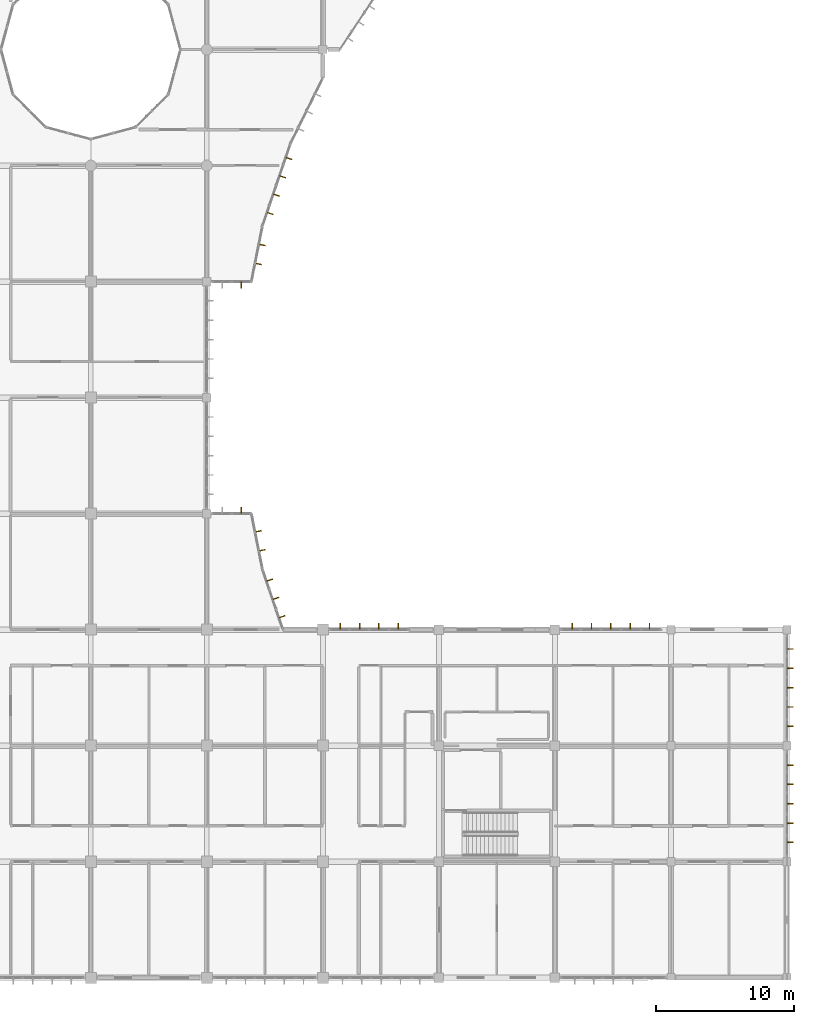
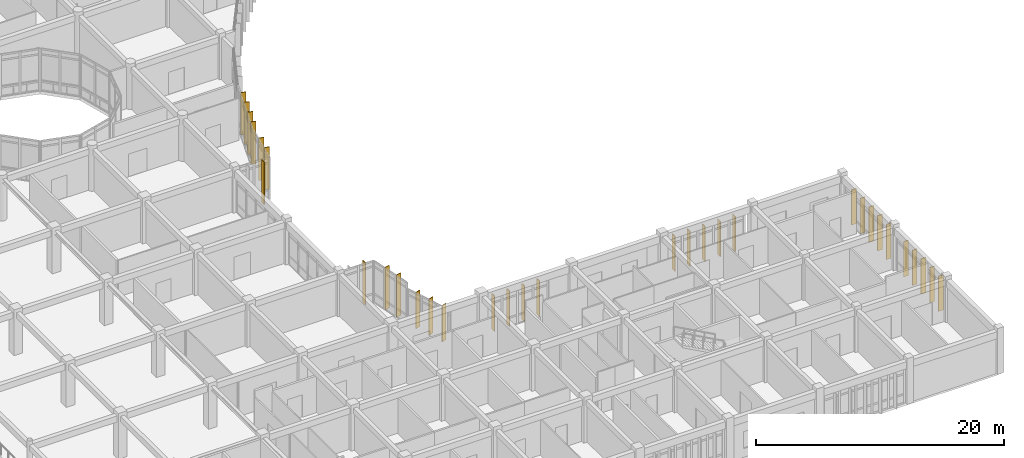
# One storey, part 140 of 144: 32 shading devices.
"""IFC4 building model written with IfcOpenShell, lengths in metres."""

from ifc_helpers import new_model, si_unit, direction, frame, origin, origin_2d, place, context, subcontext, project, spatial, rectangle, extrude, material, material_profile, profile_set, type_object, element, save


model = new_model("IFC4")

# Units and contexts
model_context = context("Model", 3, precision=1e-05, world=origin(), true_north=direction((0.0, 1.0)))
body_context = subcontext(model_context, "Body", "Model", "MODEL_VIEW")
ifc_project = project(units=[si_unit("LENGTHUNIT", "METRE"), si_unit("AREAUNIT", "SQUARE_METRE"), si_unit("VOLUMEUNIT", "CUBIC_METRE"), si_unit("PLANEANGLEUNIT", "RADIAN"), si_unit("MASSUNIT", "GRAM", prefix="KILO")], contexts=[model_context])

# Site, building, storey
site_placement = place(None, origin())
site = spatial("IfcSite", under=ifc_project, at=site_placement, CompositionType="ELEMENT")
building_placement = place(site_placement, origin())
building = spatial("IfcBuilding", under=site, at=building_placement, Name="Bramfleet General Hospital", CompositionType="ELEMENT")
storey_placement = place(building_placement, frame((0.0, 0.0, 4.800048828125)))
storey = spatial("IfcBuildingStorey", under=building, at=storey_placement, Name="L01", CompositionType="ELEMENT", Elevation=4.800048828125)

# Shading devices
ifc_material = material(Name="Treated European larch timber", Category="wood")
ifc_material_profile = material_profile(ifc_material, rectangle(XDim=0.06494140625, YDim=0.449951171875, at=origin_2d()), Name="LARCH FIN 450x65")
ifc_profile_set = profile_set([ifc_material_profile], Name="Treated European larch timber")
shading_device_type = type_object("IfcShadingDeviceType", Name="SHD-FIN-450", PredefinedType="USERDEFINED", material=ifc_profile_set)
for number, where, z_axis, x_axis, name in (
    (1, (131.947265625, 59.3076171875, -0.02001953125), (0.0, 0.0, 1.0), (-0.321383054181, -0.946949276617, 0.0), "L01 Larch Timber Shading Fin 232"),
    (2, (131.497314453125, 57.981689453125, -0.02001953125), (0.0, 0.0, 1.0), (-0.321383054181, -0.946949276617, 0.0), "L01 Larch Timber Shading Fin 233"),
    (3, (131.04736328125, 56.656005859375, -0.02001953125), (0.0, 0.0, 1.0), (-0.321383054181, -0.946949276617, 0.0), "L01 Larch Timber Shading Fin 234"),
    (4, (130.597412109375, 55.330322265625, -0.02001953125), (0.0, 0.0, 1.0), (-0.321383054181, -0.946949276617, 0.0), "L01 Larch Timber Shading Fin 235"),
    (5, (130.007568359375, 53.05126953125, -0.02001953125), (0.0, 0.0, 1.0), (-0.195272189606, -0.980749087161, 0.0), "L01 Larch Timber Shading Fin 236"),
    (6, (129.734130859375, 51.677978515625, -0.02001953125), (0.0, 0.0, 1.0), (-0.195272189606, -0.980749087161, 0.0), "L01 Larch Timber Shading Fin 237"),
    (7, (128.5048828125, 50.159912109375, -0.02001953125), (0.0, 0.0, 1.0), (-1.0, 0.0, 0.0), "L01 Larch Timber Shading Fin 238"),
    (8, (128.5048828125, 33.840087890625, -0.02001953125), (0.0, 0.0, 1.0), (1.0, 0.0, 0.0), "L01 Larch Timber Shading Fin 251"),
    (9, (129.734130859375, 32.322021484375, -0.02001953125), (0.0, 0.0, 1.0), (0.195272189606, -0.980749087161, 0.0), "L01 Larch Timber Shading Fin 252"),
    (10, (130.007568359375, 30.94873046875, -0.02001953125), (0.0, 0.0, 1.0), (0.195272189606, -0.980749087161, 0.0), "L01 Larch Timber Shading Fin 253"),
):
    element("IfcShadingDevice", number, at=place(storey_placement, frame(where, z_axis=z_axis, x_axis=x_axis)), inside=storey, type_object=shading_device_type, Name=name, ObjectType="Fin", PredefinedType="USERDEFINED", context=body_context, shape_type="SweptSolid", body=[
        extrude(rectangle(XDim=0.06494140625, YDim=0.449951171875, at=origin_2d()), origin(), (0.0, 0.0, 1.0), 4.169921875),
    ])
for number, where, z_axis, x_axis, name in (
    (11, (130.555908203125, 28.79150390625, -0.02001953125), (0.0, 0.0, 1.0), (0.321285950829, -0.94698222676, 0.0), "L01 Larch Timber Shading Fin 254"),
    (12, (131.005859375, 27.465576171875, -0.02001953125), (0.0, 0.0, 1.0), (0.321285950829, -0.94698222676, 0.0), "L01 Larch Timber Shading Fin 255"),
    (13, (131.45556640625, 26.139892578125, -0.02001953125), (0.0, 0.0, 1.0), (0.321285950829, -0.94698222676, 0.0), "L01 Larch Timber Shading Fin 256"),
):
    element("IfcShadingDevice", number, at=place(storey_placement, frame(where, z_axis=z_axis, x_axis=x_axis)), inside=storey, type_object=shading_device_type, Name=name, ObjectType="Fin", PredefinedType="USERDEFINED", context=body_context, shape_type="SweptSolid", body=[
        extrude(rectangle(XDim=0.06494140625, YDim=0.449951171875, at=origin_2d()), origin(), (0.0, 0.0, 1.0), 3.570068359375),
    ])
for number, where, z_axis, x_axis, name in (
    (14, (135.657958984375, 25.43994140625, -0.02001953125), (0.0, 0.0, 1.0), (1.0, 0.0, 0.0), "L01 Larch Timber Shading Fin 257"),
    (15, (137.05810546875, 25.43994140625, -0.02001953125), (0.0, 0.0, 1.0), (1.0, 0.0, 0.0), "L01 Larch Timber Shading Fin 258"),
    (16, (138.4580078125, 25.43994140625, -0.02001953125), (0.0, 0.0, 1.0), (1.0, 0.0, 0.0), "L01 Larch Timber Shading Fin 259"),
    (17, (139.85791015625, 25.43994140625, -0.02001953125), (0.0, 0.0, 1.0), (1.0, 0.0, 0.0), "L01 Larch Timber Shading Fin 260"),
    (18, (152.452392578125, 25.43994140625, -0.02001953125), (0.0, 0.0, 1.0), (1.0, 0.0, 0.0), "L01 Larch Timber Shading Fin 261"),
    (19, (153.8525390625, 25.43994140625, -0.02001953125), (0.0, 0.0, 1.0), (1.0, 0.0, 0.0), "L01 Larch Timber Shading Fin 262"),
    (20, (155.25244140625, 25.43994140625, -0.02001953125), (0.0, 0.0, 1.0), (1.0, 0.0, 0.0), "L01 Larch Timber Shading Fin 263"),
    (21, (156.652587890625, 25.43994140625, -0.02001953125), (0.0, 0.0, 1.0), (1.0, 0.0, 0.0), "L01 Larch Timber Shading Fin 264"),
    (22, (158.052490234375, 25.43994140625, -0.02001953125), (0.0, 0.0, 1.0), (1.0, 0.0, 0.0), "L01 Larch Timber Shading Fin 265"),
    (23, (168.239990234375, 23.800048828125, -0.02001953125), (0.0, 0.0, 1.0), (0.0, -1.0, 0.0), "L01 Larch Timber Shading Fin 266"),
    (24, (168.239990234375, 22.39990234375, -0.02001953125), (0.0, 0.0, 1.0), (0.0, -1.0, 0.0), "L01 Larch Timber Shading Fin 267"),
    (25, (168.239990234375, 21.0, -0.02001953125), (0.0, 0.0, 1.0), (0.0, -1.0, 0.0), "L01 Larch Timber Shading Fin 268"),
    (26, (168.239990234375, 19.60009765625, -0.02001953125), (0.0, 0.0, 1.0), (0.0, -1.0, 0.0), "L01 Larch Timber Shading Fin 269"),
    (27, (168.239990234375, 18.199951171875, -0.02001953125), (0.0, 0.0, 1.0), (0.0, -1.0, 0.0), "L01 Larch Timber Shading Fin 270"),
    (28, (168.239990234375, 15.39990234375, -0.02001953125), (0.0, 0.0, 1.0), (0.0, -1.0, 0.0), "L01 Larch Timber Shading Fin 271"),
    (29, (168.239990234375, 14.0, -0.02001953125), (0.0, 0.0, 1.0), (0.0, -1.0, 0.0), "L01 Larch Timber Shading Fin 272"),
    (30, (168.239990234375, 12.60009765625, -0.02001953125), (0.0, 0.0, 1.0), (0.0, -1.0, 0.0), "L01 Larch Timber Shading Fin 273"),
    (31, (168.239990234375, 11.199951171875, -0.02001953125), (0.0, 0.0, 1.0), (0.0, -1.0, 0.0), "L01 Larch Timber Shading Fin 274"),
    (32, (168.239990234375, 9.800048828125, -0.02001953125), (0.0, 0.0, 1.0), (0.0, -1.0, 0.0), "L01 Larch Timber Shading Fin 275"),
):
    element("IfcShadingDevice", number, at=place(storey_placement, frame(where, z_axis=z_axis, x_axis=x_axis)), inside=storey, type_object=shading_device_type, Name=name, ObjectType="Fin", PredefinedType="USERDEFINED", context=body_context, shape_type="SweptSolid", body=[
        extrude(rectangle(XDim=0.06494140625, YDim=0.449951171875, at=origin_2d()), origin(), (0.0, 0.0, 1.0), 3.469970703125),
    ])

save(model, "model.ifc")
